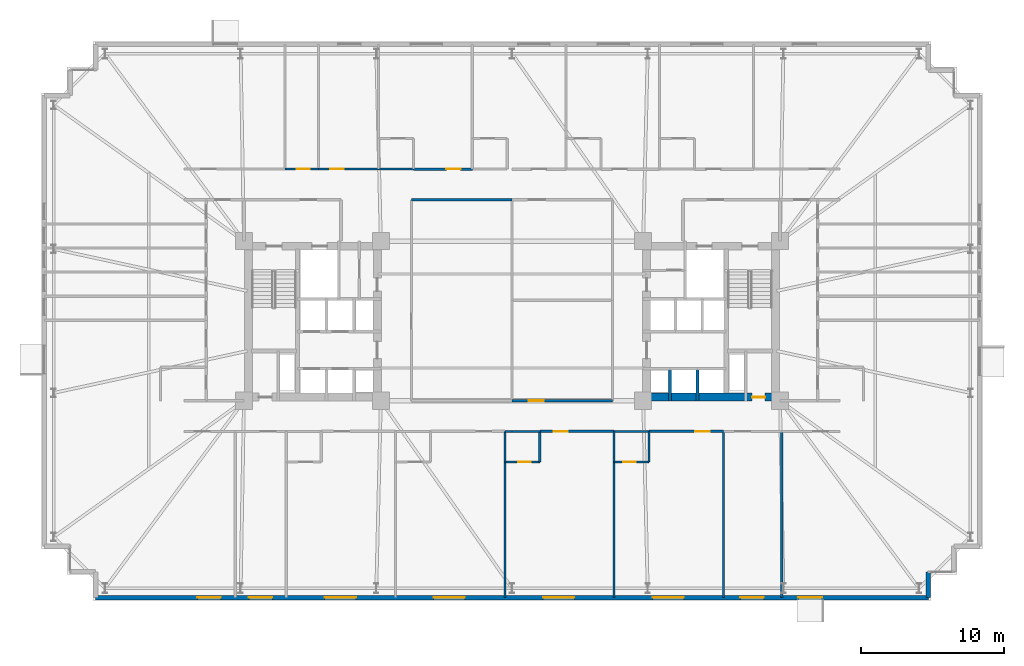
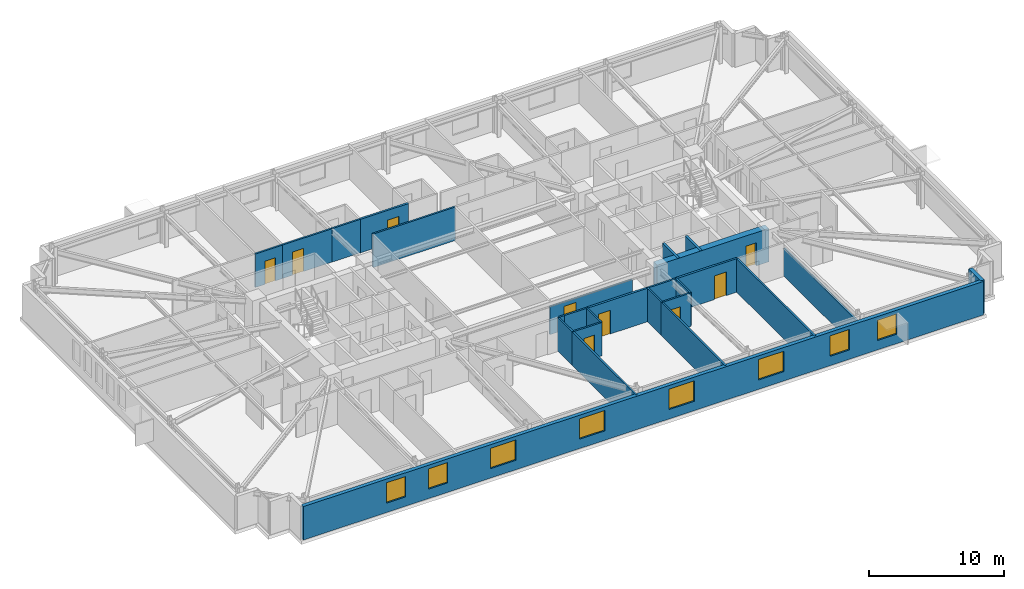
# One storey, part 16 of 21: 26 walls, 9 doors, 8 windows, 17 openings.
"""IFC4 building model written with IfcOpenShell, lengths in metres."""

from ifc_helpers import new_model, si_unit, direction, frame, frame_2d, origin, place, context, subcontext, project, spatial, rectangle, extrude, material, layer, layer_set, type_object, element, fill, save


model = new_model("IFC4")

# Units and contexts
model_context = context("Model", 3, precision=1e-05, world=origin(), true_north=direction((0.0, 1.0)))
body_context = subcontext(model_context, "Body", "Model", "MODEL_VIEW")
ifc_project = project(units=[si_unit("LENGTHUNIT", "METRE"), si_unit("AREAUNIT", "SQUARE_METRE"), si_unit("VOLUMEUNIT", "CUBIC_METRE"), si_unit("PLANEANGLEUNIT", "RADIAN"), si_unit("MASSUNIT", "GRAM", prefix="KILO")], contexts=[model_context])

# Site, building, storey
site_placement = place(None, origin())
site = spatial("IfcSite", under=ifc_project, at=site_placement, CompositionType="ELEMENT")
building_placement = place(site_placement, origin())
building = spatial("IfcBuilding", under=site, at=building_placement, Name="Qobustan Lattice House", CompositionType="ELEMENT")
storey_placement = place(building_placement, frame((0.0, 0.0, 30.35009765625)))
storey = spatial("IfcBuildingStorey", under=building, at=storey_placement, Name="L07", CompositionType="ELEMENT", Elevation=30.35009765625)

# Wall, opening, door
ifc_material_1 = material(Name="Concrete C60/75", Category="concrete")
ifc_layer_1 = layer(ifc_material_1, 0.56005859375)
ifc_layer_set_1 = layer_set([ifc_layer_1], Name="Concrete C60/75")
wall_type_1 = type_object("IfcWallType", Name="WAL-CORE-600", PredefinedType="SHEAR", material=ifc_layer_set_1)
wall_1_placement = place(storey_placement, frame((9.199951171875, -5.35009765625, 0.0), z_axis=(0.0, 0.0, 1.0), x_axis=(1.0, 0.0, 0.0)))
wall_1 = element("IfcWall", 1, at=wall_1_placement, inside=storey, type_object=wall_type_1, Name="L07 split-core shear wall CE-S", PredefinedType="SHEAR", context=body_context, shape_type="SweptSolid", body=[
    extrude(rectangle(XDim=9.60009765625, YDim=0.56005859375, at=frame_2d((4.800048828125, 0.0))), origin(), (0.0, 0.0, 1.0), 3.034912109375),
])
opening_1_placement = place(wall_1_placement, frame((7.64990234375, 0.0, 0.0)))
opening_1 = element("IfcOpeningElement", 2, at=opening_1_placement, cuts=wall_1, Name="Opening RD-01", PredefinedType="OPENING", context=body_context, shape_type="SweptSolid", body=[
    extrude(rectangle(XDim=0.89990234375, YDim=2.10009765625, at=frame_2d((0.449951171875, 1.050048828125))), frame((0.0, 0.2900390625, 0.0), z_axis=(0.0, -1.0, 0.0), x_axis=(1.0, 0.0, 0.0)), (0.0, 0.0, 1.0), 0.580078125),
])
ifc_material_2 = material(Name="Persian walnut timber and steel frame door", Category="steel")
door_type_1 = type_object("IfcDoorType", Name="DOR-RISER-FD-900x2100", OperationType="NOTDEFINED", PredefinedType="DOOR", material=ifc_material_2)
door_1_placement = place(opening_1_placement, origin())
door_1 = element("IfcDoor", 3, at=door_1_placement, inside=storey, type_object=door_type_1, Name="L07 core service riser access door E", OperationType="SINGLE_SWING_LEFT", OverallHeight=2.10009765625, OverallWidth=0.89990234375, PredefinedType="DOOR", context=body_context, shape_type="SweptSolid", body=[
    extrude(rectangle(XDim=0.89990234375, YDim=2.10009765625, at=frame_2d((0.449951171875, 1.050048828125))), frame((0.0, 0.02490234375, 0.0), z_axis=(0.0, -1.0, 0.0), x_axis=(1.0, 0.0, 0.0)), (0.0, 0.0, 1.0), 0.050048828125),
])
fill(opening_1, door_1)

# Wall
ifc_material_3 = material(Name="Precast concrete C40/50", Category="concrete")
ifc_layer_2 = layer(ifc_material_3, 0.320068359375)
ifc_layer_set_2 = layer_set([ifc_layer_2], Name="Precast concrete C40/50")
wall_type_2 = type_object("IfcWallType", Name="WAL-EXT-STONE-320", PredefinedType="SOLIDWALL", material=ifc_layer_set_2)
wall_2_placement = place(storey_placement, frame((29.199951171875, -17.60009765625, 0.0), z_axis=(0.0, 0.0, 1.0), x_axis=(0.0, -1.0, 0.0)))
element("IfcWall", 4, at=wall_2_placement, inside=storey, type_object=wall_type_2, Name="L07 exterior limestone-clad wall 19", PredefinedType="SOLIDWALL", context=body_context, shape_type="SweptSolid", body=[
    extrude(rectangle(XDim=1.7998046875, YDim=0.320068359375, at=frame_2d((0.89990234375, 0.0))), origin(), (0.0, 0.0, 1.0), 3.034912109375),
])

# Wall, openings, windows
wall_3_placement = place(storey_placement, frame((29.199951171875, -19.39990234375, 0.0), z_axis=(0.0, 0.0, 1.0), x_axis=(-1.0, 0.0, 0.0)))
wall_3 = element("IfcWall", 5, at=wall_3_placement, inside=storey, type_object=wall_type_2, Name="L07 exterior limestone-clad wall 20", PredefinedType="SOLIDWALL", context=body_context, shape_type="SweptSolid", body=[
    extrude(rectangle(XDim=58.39990234375, YDim=0.320068359375, at=frame_2d((29.199951171875, 0.0))), origin(), (0.0, 0.0, 1.0), 3.034912109375),
])
opening_2_placement = place(wall_3_placement, frame((7.455078125, 0.0, 0.85009765625)))
opening_2 = element("IfcOpeningElement", 6, at=opening_2_placement, cuts=wall_3, Name="Opening WN-09", PredefinedType="OPENING", context=body_context, shape_type="SweptSolid", body=[
    extrude(rectangle(XDim=1.64990234375, YDim=1.85009765625, at=frame_2d((0.824951171875, 0.925048828125))), frame((0.0, 0.169921875, 0.0), z_axis=(0.0, -1.0, 0.0), x_axis=(1.0, 0.0, 0.0)), (0.0, 0.0, 1.0), 0.340087890625),
])
opening_3_placement = place(wall_3_placement, frame((11.534912109375, 0.0, 0.85009765625)))
opening_3 = element("IfcOpeningElement", 7, at=opening_3_placement, cuts=wall_3, Name="Opening WN-09", PredefinedType="OPENING", context=body_context, shape_type="SweptSolid", body=[
    extrude(rectangle(XDim=1.64990234375, YDim=1.85009765625, at=frame_2d((0.824951171875, 0.925048828125))), frame((0.0, 0.169921875, 0.0), z_axis=(0.0, -1.0, 0.0), x_axis=(1.0, 0.0, 0.0)), (0.0, 0.0, 1.0), 0.340087890625),
])
opening_4_placement = place(wall_3_placement, frame((17.139892578125, 0.0, 0.85009765625)))
opening_4 = element("IfcOpeningElement", 8, at=opening_4_placement, cuts=wall_3, Name="Opening WN-03", PredefinedType="OPENING", context=body_context, shape_type="SweptSolid", body=[
    extrude(rectangle(XDim=2.199951171875, YDim=1.85009765625, at=frame_2d((1.10009765625, 0.925048828125))), frame((0.0, 0.169921875, 0.0), z_axis=(0.0, -1.0, 0.0), x_axis=(1.0, 0.0, 0.0)), (0.0, 0.0, 1.0), 0.340087890625),
])
opening_5_placement = place(wall_3_placement, frame((24.820068359375, 0.0, 0.85009765625)))
opening_5 = element("IfcOpeningElement", 9, at=opening_5_placement, cuts=wall_3, Name="Opening WN-03", PredefinedType="OPENING", context=body_context, shape_type="SweptSolid", body=[
    extrude(rectangle(XDim=2.199951171875, YDim=1.85009765625, at=frame_2d((1.10009765625, 0.925048828125))), frame((0.0, 0.169921875, 0.0), z_axis=(0.0, -1.0, 0.0), x_axis=(1.0, 0.0, 0.0)), (0.0, 0.0, 1.0), 0.340087890625),
])
opening_6_placement = place(wall_3_placement, frame((32.5, 0.0, 0.85009765625)))
opening_6 = element("IfcOpeningElement", 10, at=opening_6_placement, cuts=wall_3, Name="Opening WN-03", PredefinedType="OPENING", context=body_context, shape_type="SweptSolid", body=[
    extrude(rectangle(XDim=2.199951171875, YDim=1.85009765625, at=frame_2d((1.10009765625, 0.925048828125))), frame((0.0, 0.169921875, 0.0), z_axis=(0.0, -1.0, 0.0), x_axis=(1.0, 0.0, 0.0)), (0.0, 0.0, 1.0), 0.340087890625),
])
opening_7_placement = place(wall_3_placement, frame((40.139892578125, 0.0, 0.85009765625)))
opening_7 = element("IfcOpeningElement", 11, at=opening_7_placement, cuts=wall_3, Name="Opening WN-03", PredefinedType="OPENING", context=body_context, shape_type="SweptSolid", body=[
    extrude(rectangle(XDim=2.199951171875, YDim=1.85009765625, at=frame_2d((1.10009765625, 0.925048828125))), frame((0.0, 0.169921875, 0.0), z_axis=(0.0, -1.0, 0.0), x_axis=(1.0, 0.0, 0.0)), (0.0, 0.0, 1.0), 0.340087890625),
])
opening_8_placement = place(wall_3_placement, frame((46.014892578125, 0.0, 0.85009765625)))
opening_8 = element("IfcOpeningElement", 12, at=opening_8_placement, cuts=wall_3, Name="Opening WN-09", PredefinedType="OPENING", context=body_context, shape_type="SweptSolid", body=[
    extrude(rectangle(XDim=1.64990234375, YDim=1.85009765625, at=frame_2d((0.824951171875, 0.925048828125))), frame((0.0, 0.169921875, 0.0), z_axis=(0.0, -1.0, 0.0), x_axis=(1.0, 0.0, 0.0)), (0.0, 0.0, 1.0), 0.340087890625),
])
opening_9_placement = place(wall_3_placement, frame((49.614990234375, 0.0, 0.85009765625)))
opening_9 = element("IfcOpeningElement", 13, at=opening_9_placement, cuts=wall_3, Name="Opening WN-09", PredefinedType="OPENING", context=body_context, shape_type="SweptSolid", body=[
    extrude(rectangle(XDim=1.64990234375, YDim=1.85009765625, at=frame_2d((0.824951171875, 0.925048828125))), frame((0.0, 0.169921875, 0.0), z_axis=(0.0, -1.0, 0.0), x_axis=(1.0, 0.0, 0.0)), (0.0, 0.0, 1.0), 0.340087890625),
])
ifc_material_4 = material(Name="Double-glazed low-E aluminium window", Category="aluminium")
window_type_1 = type_object("IfcWindowType", Name="WIN-STU-1650x1850", PartitioningType="SINGLE_PANEL", PredefinedType="WINDOW", material=ifc_material_4)
window_1_placement = place(opening_2_placement, origin())
window_1 = element("IfcWindow", 14, at=window_1_placement, inside=storey, type_object=window_type_1, Name="L07 Academic seminar room window", OverallHeight=1.85009765625, OverallWidth=1.64990234375, PartitioningType="SINGLE_PANEL", PredefinedType="WINDOW", context=body_context, shape_type="SweptSolid", body=[
    extrude(rectangle(XDim=1.64990234375, YDim=1.85009765625, at=frame_2d((0.824951171875, 0.925048828125))), frame((0.0, 0.030029296875, 0.0), z_axis=(0.0, -1.0, 0.0), x_axis=(1.0, 0.0, 0.0)), (0.0, 0.0, 1.0), 0.06005859375),
])
fill(opening_2, window_1)
window_2_placement = place(opening_3_placement, origin())
window_2 = element("IfcWindow", 15, at=window_2_placement, inside=storey, type_object=window_type_1, Name="L07 Group study room window", OverallHeight=1.85009765625, OverallWidth=1.64990234375, PartitioningType="SINGLE_PANEL", PredefinedType="WINDOW", context=body_context, shape_type="SweptSolid", body=[
    extrude(rectangle(XDim=1.64990234375, YDim=1.85009765625, at=frame_2d((0.824951171875, 0.925048828125))), frame((0.0, 0.030029296875, 0.0), z_axis=(0.0, -1.0, 0.0), x_axis=(1.0, 0.0, 0.0)), (0.0, 0.0, 1.0), 0.06005859375),
])
fill(opening_3, window_2)
window_3_placement = place(opening_8_placement, origin())
window_3 = element("IfcWindow", 16, at=window_3_placement, inside=storey, type_object=window_type_1, Name="L07 Focus study room S1B window", OverallHeight=1.85009765625, OverallWidth=1.64990234375, PartitioningType="SINGLE_PANEL", PredefinedType="WINDOW", context=body_context, shape_type="SweptSolid", body=[
    extrude(rectangle(XDim=1.64990234375, YDim=1.85009765625, at=frame_2d((0.824951171875, 0.925048828125))), frame((0.0, 0.030029296875, 0.0), z_axis=(0.0, -1.0, 0.0), x_axis=(1.0, 0.0, 0.0)), (0.0, 0.0, 1.0), 0.06005859375),
])
fill(opening_8, window_3)
window_4_placement = place(opening_9_placement, origin())
window_4 = element("IfcWindow", 17, at=window_4_placement, inside=storey, type_object=window_type_1, Name="L07 Focus study room S1A window", OverallHeight=1.85009765625, OverallWidth=1.64990234375, PartitioningType="SINGLE_PANEL", PredefinedType="WINDOW", context=body_context, shape_type="SweptSolid", body=[
    extrude(rectangle(XDim=1.64990234375, YDim=1.85009765625, at=frame_2d((0.824951171875, 0.925048828125))), frame((0.0, 0.030029296875, 0.0), z_axis=(0.0, -1.0, 0.0), x_axis=(1.0, 0.0, 0.0)), (0.0, 0.0, 1.0), 0.06005859375),
])
fill(opening_9, window_4)
ifc_material_5 = material(Name="Double-glazed low-E aluminium window", Category="aluminium")
window_type_2 = type_object("IfcWindowType", Name="WIN-WIDE-2200x1850", PartitioningType="SINGLE_PANEL", PredefinedType="WINDOW", material=ifc_material_5)
window_5_placement = place(opening_4_placement, origin())
window_5 = element("IfcWindow", 18, at=window_5_placement, inside=storey, type_object=window_type_2, Name="L07 Kitchenette and studio apartment L07-S5 window", OverallHeight=1.85009765625, OverallWidth=2.199951171875, PartitioningType="SINGLE_PANEL", PredefinedType="WINDOW", context=body_context, shape_type="SweptSolid", body=[
    extrude(rectangle(XDim=2.199951171875, YDim=1.85009765625, at=frame_2d((1.10009765625, 0.925048828125))), frame((0.0, 0.030029296875, 0.0), z_axis=(0.0, -1.0, 0.0), x_axis=(1.0, 0.0, 0.0)), (0.0, 0.0, 1.0), 0.06005859375),
])
fill(opening_4, window_5)
window_6_placement = place(opening_5_placement, origin())
window_6 = element("IfcWindow", 19, at=window_6_placement, inside=storey, type_object=window_type_2, Name="L07 Kitchenette and studio apartment L07-S4 window", OverallHeight=1.85009765625, OverallWidth=2.199951171875, PartitioningType="SINGLE_PANEL", PredefinedType="WINDOW", context=body_context, shape_type="SweptSolid", body=[
    extrude(rectangle(XDim=2.199951171875, YDim=1.85009765625, at=frame_2d((1.10009765625, 0.925048828125))), frame((0.0, 0.030029296875, 0.0), z_axis=(0.0, -1.0, 0.0), x_axis=(1.0, 0.0, 0.0)), (0.0, 0.0, 1.0), 0.06005859375),
])
fill(opening_5, window_6)
window_7_placement = place(opening_6_placement, origin())
window_7 = element("IfcWindow", 20, at=window_7_placement, inside=storey, type_object=window_type_2, Name="L07 Kitchenette and studio apartment L07-S3 window", OverallHeight=1.85009765625, OverallWidth=2.199951171875, PartitioningType="SINGLE_PANEL", PredefinedType="WINDOW", context=body_context, shape_type="SweptSolid", body=[
    extrude(rectangle(XDim=2.199951171875, YDim=1.85009765625, at=frame_2d((1.10009765625, 0.925048828125))), frame((0.0, 0.030029296875, 0.0), z_axis=(0.0, -1.0, 0.0), x_axis=(1.0, 0.0, 0.0)), (0.0, 0.0, 1.0), 0.06005859375),
])
fill(opening_6, window_7)
window_8_placement = place(opening_7_placement, origin())
window_8 = element("IfcWindow", 21, at=window_8_placement, inside=storey, type_object=window_type_2, Name="L07 Kitchenette and studio apartment L07-S2 window", OverallHeight=1.85009765625, OverallWidth=2.199951171875, PartitioningType="SINGLE_PANEL", PredefinedType="WINDOW", context=body_context, shape_type="SweptSolid", body=[
    extrude(rectangle(XDim=2.199951171875, YDim=1.85009765625, at=frame_2d((1.10009765625, 0.925048828125))), frame((0.0, 0.030029296875, 0.0), z_axis=(0.0, -1.0, 0.0), x_axis=(1.0, 0.0, 0.0)), (0.0, 0.0, 1.0), 0.06005859375),
])
fill(opening_7, window_8)

# Wall, opening, door
ifc_material_6 = material(Name="Gypsum fireboard acoustic partition", Category="gypsum")
ifc_layer_3 = layer(ifc_material_6, 0.179931640625)
ifc_layer_set_3 = layer_set([ifc_layer_3], Name="Gypsum fireboard acoustic partition")
wall_type_3 = type_object("IfcWallType", Name="WAL-FIRE-180", PredefinedType="PARTITIONING", material=ifc_layer_set_3)
wall_4_placement = place(storey_placement, frame((-6.906982421875, 10.64990234375, 0.0), z_axis=(0.0, 0.0, 1.0), x_axis=(1.0, 0.0, 0.0)))
wall_4 = element("IfcWall", 22, at=wall_4_placement, inside=storey, type_object=wall_type_3, Name="L07 interior partition 43", PredefinedType="PARTITIONING", context=body_context, shape_type="SweptSolid", body=[
    extrude(rectangle(XDim=4.12109375, YDim=0.179931640625, at=frame_2d((2.060546875, 0.0))), origin(), (0.0, 0.0, 1.0), 3.034912109375),
])
opening_10_placement = place(wall_4_placement, frame((2.2958984375, 0.0, 0.0)))
opening_10 = element("IfcOpeningElement", 23, at=opening_10_placement, cuts=wall_4, Name="Opening FD-02", PredefinedType="OPENING", context=body_context, shape_type="SweptSolid", body=[
    extrude(rectangle(XDim=1.0, YDim=2.14990234375, at=frame_2d((0.5, 1.074951171875))), frame((0.0, 0.099853515625, 0.0), z_axis=(0.0, -1.0, 0.0), x_axis=(1.0, 0.0, 0.0)), (0.0, 0.0, 1.0), 0.199951171875),
])
ifc_material_7 = material(Name="Persian walnut timber and steel frame door", Category="steel")
door_type_2 = type_object("IfcDoorType", Name="DOR-UNIT-FD-1000x2150", OperationType="NOTDEFINED", PredefinedType="DOOR", material=ifc_material_7)
door_2_placement = place(opening_10_placement, origin())
door_2 = element("IfcDoor", 24, at=door_2_placement, inside=storey, type_object=door_type_2, Name="L07 North-west floor corridor to Kitchenette and studio apartment L07-N3 door", OperationType="SINGLE_SWING_RIGHT", OverallHeight=2.14990234375, OverallWidth=1.0, PredefinedType="DOOR", context=body_context, shape_type="SweptSolid", body=[
    extrude(rectangle(XDim=1.0, YDim=2.14990234375, at=frame_2d((0.5, 1.074951171875))), frame((0.0, 0.02490234375, 0.0), z_axis=(0.0, -1.0, 0.0), x_axis=(1.0, 0.0, 0.0)), (0.0, 0.0, 1.0), 0.050048828125),
])
fill(opening_10, door_2)

wall_5_placement = place(storey_placement, frame((7.1669921875, -7.75, 0.0), z_axis=(0.0, 0.0, 1.0), x_axis=(-1.0, 0.0, 0.0)))
wall_5 = element("IfcWall", 25, at=wall_5_placement, inside=storey, type_object=wall_type_3, Name="L07 interior partition 68", PredefinedType="PARTITIONING", context=body_context, shape_type="SweptSolid", body=[
    extrude(rectangle(XDim=5.217041015625, YDim=0.179931640625, at=frame_2d((2.6083984375, 0.0))), origin(), (0.0, 0.0, 1.0), 3.034912109375),
])
opening_11_placement = place(wall_5_placement, frame((3.2548828125, 0.0, 0.0)))
opening_11 = element("IfcOpeningElement", 26, at=opening_11_placement, cuts=wall_5, Name="Opening FD-02", PredefinedType="OPENING", context=body_context, shape_type="SweptSolid", body=[
    extrude(rectangle(XDim=1.0, YDim=2.14990234375, at=frame_2d((0.5, 1.074951171875))), frame((0.0, 0.099853515625, 0.0), z_axis=(0.0, -1.0, 0.0), x_axis=(1.0, 0.0, 0.0)), (0.0, 0.0, 1.0), 0.199951171875),
])
door_3_placement = place(opening_11_placement, origin())
door_3 = element("IfcDoor", 27, at=door_3_placement, inside=storey, type_object=door_type_2, Name="L07 South-east floor corridor to Kitchenette and studio apartment L07-S4 door", OperationType="SINGLE_SWING_LEFT", OverallHeight=2.14990234375, OverallWidth=1.0, PredefinedType="DOOR", context=body_context, shape_type="SweptSolid", body=[
    extrude(rectangle(XDim=1.0, YDim=2.14990234375, at=frame_2d((0.5, 1.074951171875))), frame((0.0, 0.02490234375, 0.0), z_axis=(0.0, -1.0, 0.0), x_axis=(1.0, 0.0, 0.0)), (0.0, 0.0, 1.0), 0.050048828125),
])
fill(opening_11, door_3)

wall_6_placement = place(storey_placement, frame((14.8330078125, -7.75, 0.0), z_axis=(0.0, 0.0, 1.0), x_axis=(-1.0, 0.0, 0.0)))
wall_6 = element("IfcWall", 28, at=wall_6_placement, inside=storey, type_object=wall_type_3, Name="L07 interior partition 70", PredefinedType="PARTITIONING", context=body_context, shape_type="SweptSolid", body=[
    extrude(rectangle(XDim=5.216064453125, YDim=0.179931640625, at=frame_2d((2.60791015625, 0.0))), origin(), (0.0, 0.0, 1.0), 3.034912109375),
])
opening_12_placement = place(wall_6_placement, frame((0.9619140625, 0.0, 0.0)))
opening_12 = element("IfcOpeningElement", 29, at=opening_12_placement, cuts=wall_6, Name="Opening FD-02", PredefinedType="OPENING", context=body_context, shape_type="SweptSolid", body=[
    extrude(rectangle(XDim=1.0, YDim=2.14990234375, at=frame_2d((0.5, 1.074951171875))), frame((0.0, 0.099853515625, 0.0), z_axis=(0.0, -1.0, 0.0), x_axis=(1.0, 0.0, 0.0)), (0.0, 0.0, 1.0), 0.199951171875),
])
door_4_placement = place(opening_12_placement, origin())
door_4 = element("IfcDoor", 30, at=door_4_placement, inside=storey, type_object=door_type_2, Name="L07 South-east floor corridor to Kitchenette and studio apartment L07-S5 door", OperationType="SINGLE_SWING_RIGHT", OverallHeight=2.14990234375, OverallWidth=1.0, PredefinedType="DOOR", context=body_context, shape_type="SweptSolid", body=[
    extrude(rectangle(XDim=1.0, YDim=2.14990234375, at=frame_2d((0.5, 1.074951171875))), frame((0.0, 0.02490234375, 0.0), z_axis=(0.0, -1.0, 0.0), x_axis=(1.0, 0.0, 0.0)), (0.0, 0.0, 1.0), 0.050048828125),
])
fill(opening_12, door_4)

ifc_material_8 = material(Name="Acoustic twin-stud gypsum partition", Category="gypsum")
ifc_layer_4 = layer(ifc_material_8, 0.14990234375)
ifc_layer_set_4 = layer_set([ifc_layer_4], Name="Acoustic twin-stud gypsum partition")
wall_type_4 = type_object("IfcWallType", Name="WAL-PART-150", PredefinedType="PARTITIONING", material=ifc_layer_set_4)
wall_7_placement = place(storey_placement, frame((-13.5791015625, 10.64990234375, 0.0), z_axis=(0.0, 0.0, 1.0), x_axis=(1.0, 0.0, 0.0)))
wall_7 = element("IfcWall", 31, at=wall_7_placement, inside=storey, type_object=wall_type_4, Name="L07 interior partition 42", PredefinedType="PARTITIONING", context=body_context, shape_type="SweptSolid", body=[
    extrude(rectangle(XDim=4.22216796875, YDim=0.14990234375, at=frame_2d((2.111083984375, 0.0))), origin(), (0.0, 0.0, 1.0), 3.034912109375),
])
opening_13_placement = place(wall_7_placement, frame((0.843994140625, 0.0, 0.0)))
opening_13 = element("IfcOpeningElement", 32, at=opening_13_placement, cuts=wall_7, Name="Opening ID-01", PredefinedType="OPENING", context=body_context, shape_type="SweptSolid", body=[
    extrude(rectangle(XDim=0.949951171875, YDim=2.10009765625, at=frame_2d((0.47509765625, 1.050048828125))), frame((0.0, 0.0849609375, 0.0), z_axis=(0.0, -1.0, 0.0), x_axis=(1.0, 0.0, 0.0)), (0.0, 0.0, 1.0), 0.169921875),
])
ifc_material_9 = material(Name="Persian walnut timber and steel frame door", Category="steel")
door_type_3 = type_object("IfcDoorType", Name="DOR-ROOM-950x2100", OperationType="NOTDEFINED", PredefinedType="DOOR", material=ifc_material_9)
door_5_placement = place(opening_13_placement, origin())
door_5 = element("IfcDoor", 33, at=door_5_placement, inside=storey, type_object=door_type_3, Name="L07 North-west floor corridor to Laundry utility room door", OperationType="SINGLE_SWING_LEFT", OverallHeight=2.10009765625, OverallWidth=0.949951171875, PredefinedType="DOOR", context=body_context, shape_type="SweptSolid", body=[
    extrude(rectangle(XDim=0.949951171875, YDim=2.10009765625, at=frame_2d((0.47509765625, 1.050048828125))), frame((0.0, 0.02490234375, 0.0), z_axis=(0.0, -1.0, 0.0), x_axis=(1.0, 0.0, 0.0)), (0.0, 0.0, 1.0), 0.050048828125),
])
fill(opening_13, door_5)

# Wall
wall_8_placement = place(storey_placement, frame((0.0, 8.5, 0.0), z_axis=(0.0, 0.0, 1.0), x_axis=(-1.0, 0.0, 0.0)))
element("IfcWall", 34, at=wall_8_placement, inside=storey, type_object=wall_type_4, Name="L07 interior partition 46", PredefinedType="PARTITIONING", context=body_context, shape_type="SweptSolid", body=[
    extrude(rectangle(XDim=7.050048828125, YDim=0.14990234375, at=frame_2d((3.52490234375, 0.0))), origin(), (0.0, 0.0, 1.0), 3.034912109375),
])

# Wall, opening, door
wall_9_placement = place(storey_placement, frame((0.0, -5.60009765625, 0.0), z_axis=(0.0, 0.0, 1.0), x_axis=(1.0, 0.0, 0.0)))
wall_9 = element("IfcWall", 35, at=wall_9_placement, inside=storey, type_object=wall_type_4, Name="L07 interior partition 74", PredefinedType="PARTITIONING", context=body_context, shape_type="SweptSolid", body=[
    extrude(rectangle(XDim=7.050048828125, YDim=0.14990234375, at=frame_2d((3.52490234375, 0.0))), origin(), (0.0, 0.0, 1.0), 2.52001953125),
])
opening_14_placement = place(wall_9_placement, frame((1.18505859375, 0.0, 0.0)))
opening_14 = element("IfcOpeningElement", 36, at=opening_14_placement, cuts=wall_9, Name="Opening ID-02", PredefinedType="OPENING", context=body_context, shape_type="SweptSolid", body=[
    extrude(rectangle(XDim=1.050048828125, YDim=2.14990234375, at=frame_2d((0.52490234375, 1.074951171875))), frame((0.0, 0.0849609375, 0.0), z_axis=(0.0, -1.0, 0.0), x_axis=(1.0, 0.0, 0.0)), (0.0, 0.0, 1.0), 0.169921875),
])
ifc_material_10 = material(Name="Persian walnut timber and steel frame door", Category="steel")
door_type_4 = type_object("IfcDoorType", Name="DOR-STUDY-1050x2150", OperationType="NOTDEFINED", PredefinedType="DOOR", material=ifc_material_10)
door_6_placement = place(opening_14_placement, origin())
door_6 = element("IfcDoor", 37, at=door_6_placement, inside=storey, type_object=door_type_4, Name="L07 South-east floor corridor to Seminar breakout room door", OperationType="SINGLE_SWING_LEFT", OverallHeight=2.14990234375, OverallWidth=1.050048828125, PredefinedType="DOOR", context=body_context, shape_type="SweptSolid", body=[
    extrude(rectangle(XDim=1.050048828125, YDim=2.14990234375, at=frame_2d((0.52490234375, 1.074951171875))), frame((0.0, 0.02490234375, 0.0), z_axis=(0.0, -1.0, 0.0), x_axis=(1.0, 0.0, 0.0)), (0.0, 0.0, 1.0), 0.050048828125),
])
fill(opening_14, door_6)

# Walls
for number, where, z_axis, x_axis, name in (
    (38, (-0.5, -9.89990234375, 0.0), (0.0, 0.0, 1.0), (0.0, -1.0, 0.0), "L07 interior partition 134"),
    (39, (7.1669921875, -9.89990234375, 0.0), (0.0, 0.0, 1.0), (0.0, -1.0, 0.0), "L07 interior partition 138"),
):
    element("IfcWall", number, at=place(storey_placement, frame(where, z_axis=z_axis, x_axis=x_axis)), inside=storey, type_object=wall_type_4, Name=name, PredefinedType="PARTITIONING", context=body_context, shape_type="SweptSolid", body=[
        extrude(rectangle(XDim=9.5, YDim=0.14990234375, at=frame_2d((4.75, 0.0))), origin(), (0.0, 0.0, 1.0), 3.034912109375),
    ])
wall_10_placement = place(storey_placement, frame((14.8330078125, -7.75, 0.0), z_axis=(0.0, 0.0, 1.0), x_axis=(0.0, -1.0, 0.0)))
element("IfcWall", 40, at=wall_10_placement, inside=storey, type_object=wall_type_4, Name="L07 interior partition 142", PredefinedType="PARTITIONING", context=body_context, shape_type="SweptSolid", body=[
    extrude(rectangle(XDim=11.64990234375, YDim=0.14990234375, at=frame_2d((5.824951171875, 0.0))), origin(), (0.0, 0.0, 1.0), 3.034912109375),
])
wall_11_placement = place(storey_placement, frame((18.91650390625, -7.75, 0.0), z_axis=(0.0, 0.0, 1.0), x_axis=(0.0, -1.0, 0.0)))
element("IfcWall", 41, at=wall_11_placement, inside=storey, type_object=wall_type_4, Name="L07 interior partition 143", PredefinedType="PARTITIONING", context=body_context, shape_type="SweptSolid", body=[
    extrude(rectangle(XDim=11.64990234375, YDim=0.14990234375, at=frame_2d((5.824951171875, 0.0))), origin(), (0.0, 0.0, 1.0), 2.52001953125),
])
ifc_material_11 = material(Name="Concrete C40/50", Category="concrete")
ifc_layer_5 = layer(ifc_material_11, 0.199951171875)
ifc_layer_set_5 = layer_set([ifc_layer_5], Name="Concrete C40/50")
wall_type_5 = type_object("IfcWallType", Name="WAL-SHAFT-200", PredefinedType="PARTITIONING", material=ifc_layer_set_5)
for number, where, z_axis, x_axis, name in (
    (42, (11.080078125, -5.60009765625, 0.0), (0.0, 0.0, 1.0), (0.0, 1.0, 0.0), "L07 interior partition 34"),
    (43, (13.02001953125, -5.60009765625, 0.0), (0.0, 0.0, 1.0), (0.0, 1.0, 0.0), "L07 interior partition 35"),
):
    element("IfcWall", number, at=place(storey_placement, frame(where, z_axis=z_axis, x_axis=x_axis)), inside=storey, type_object=wall_type_5, Name=name, PredefinedType="PARTITIONING", context=body_context, shape_type="SweptSolid", body=[
        extrude(rectangle(XDim=2.25, YDim=0.199951171875, at=frame_2d((1.125, 0.0))), origin(), (0.0, 0.0, 1.0), 3.034912109375),
    ])

# Wall, opening, door
ifc_material_12 = material(Name="Moisture-resistant acoustic plumbing wall", Category="gypsum")
ifc_layer_6 = layer(ifc_material_12, 0.14990234375)
ifc_layer_set_6 = layer_set([ifc_layer_6], Name="Moisture-resistant acoustic plumbing wall")
wall_type_6 = type_object("IfcWallType", Name="WAL-WET-150", PredefinedType="PLUMBINGWALL", material=ifc_layer_set_6)
wall_12_placement = place(storey_placement, frame((-15.928955078125, 10.64990234375, 0.0), z_axis=(0.0, 0.0, 1.0), x_axis=(1.0, 0.0, 0.0)))
wall_12 = element("IfcWall", 44, at=wall_12_placement, inside=storey, type_object=wall_type_6, Name="L07 interior partition 41", PredefinedType="PLUMBINGWALL", context=body_context, shape_type="SweptSolid", body=[
    extrude(rectangle(XDim=2.349853515625, YDim=0.14990234375, at=frame_2d((1.1748046875, 0.0))), origin(), (0.0, 0.0, 1.0), 3.034912109375),
])
opening_15_placement = place(wall_12_placement, frame((0.833740234375, 0.0, 0.0)))
opening_15 = element("IfcOpeningElement", 45, at=opening_15_placement, cuts=wall_12, Name="Opening WD-01", PredefinedType="OPENING", context=body_context, shape_type="SweptSolid", body=[
    extrude(rectangle(XDim=0.89990234375, YDim=2.10009765625, at=frame_2d((0.449951171875, 1.050048828125))), frame((0.0, 0.0849609375, 0.0), z_axis=(0.0, -1.0, 0.0), x_axis=(1.0, 0.0, 0.0)), (0.0, 0.0, 1.0), 0.169921875),
])
ifc_material_13 = material(Name="Persian walnut timber and steel frame door", Category="steel")
door_type_5 = type_object("IfcDoorType", Name="DOR-WET-900x2100", OperationType="NOTDEFINED", PredefinedType="DOOR", material=ifc_material_13)
door_7_placement = place(opening_15_placement, origin())
door_7 = element("IfcDoor", 46, at=door_7_placement, inside=storey, type_object=door_type_5, Name="L07 North-west floor corridor to Accessible WC door", OperationType="SINGLE_SWING_RIGHT", OverallHeight=2.10009765625, OverallWidth=0.89990234375, PredefinedType="DOOR", context=body_context, shape_type="SweptSolid", body=[
    extrude(rectangle(XDim=0.89990234375, YDim=2.10009765625, at=frame_2d((0.449951171875, 1.050048828125))), frame((0.0, 0.02490234375, 0.0), z_axis=(0.0, -1.0, 0.0), x_axis=(1.0, 0.0, 0.0)), (0.0, 0.0, 1.0), 0.050048828125),
])
fill(opening_15, door_7)

# Walls
wall_13_placement = place(storey_placement, frame((-9.35693359375, 10.64990234375, 0.0), z_axis=(0.0, 0.0, 1.0), x_axis=(1.0, 0.0, 0.0)))
element("IfcWall", 47, at=wall_13_placement, inside=storey, type_object=wall_type_6, Name="L07 interior partition 44", PredefinedType="PLUMBINGWALL", context=body_context, shape_type="SweptSolid", body=[
    extrude(rectangle(XDim=2.449951171875, YDim=0.14990234375, at=frame_2d((1.22509765625, 0.0))), origin(), (0.0, 0.0, 1.0), 3.034912109375),
])
wall_14_placement = place(storey_placement, frame((0.0, -7.75, 0.0), z_axis=(0.0, 0.0, 1.0), x_axis=(-1.0, 0.0, 0.0)))
element("IfcWall", 48, at=wall_14_placement, inside=storey, type_object=wall_type_6, Name="L07 interior partition 64", PredefinedType="PLUMBINGWALL", context=body_context, shape_type="SweptSolid", body=[
    extrude(rectangle(XDim=0.5, YDim=0.14990234375, at=frame_2d((0.25, 0.0))), origin(), (0.0, 0.0, 1.0), 3.034912109375),
])
wall_15_placement = place(storey_placement, frame((1.949951171875, -7.75, 0.0), z_axis=(0.0, 0.0, 1.0), x_axis=(-1.0, 0.0, 0.0)))
element("IfcWall", 49, at=wall_15_placement, inside=storey, type_object=wall_type_6, Name="L07 interior partition 69", PredefinedType="PLUMBINGWALL", context=body_context, shape_type="SweptSolid", body=[
    extrude(rectangle(XDim=1.949951171875, YDim=0.14990234375, at=frame_2d((0.97509765625, 0.0))), origin(), (0.0, 0.0, 1.0), 3.034912109375),
])
wall_16_placement = place(storey_placement, frame((9.616943359375, -7.75, 0.0), z_axis=(0.0, 0.0, 1.0), x_axis=(-1.0, 0.0, 0.0)))
element("IfcWall", 50, at=wall_16_placement, inside=storey, type_object=wall_type_6, Name="L07 interior partition 71", PredefinedType="PLUMBINGWALL", context=body_context, shape_type="SweptSolid", body=[
    extrude(rectangle(XDim=2.449951171875, YDim=0.14990234375, at=frame_2d((1.22509765625, 0.0))), origin(), (0.0, 0.0, 1.0), 3.034912109375),
])
wall_17_placement = place(storey_placement, frame((-0.5, -7.75, 0.0), z_axis=(0.0, 0.0, 1.0), x_axis=(0.0, -1.0, 0.0)))
element("IfcWall", 51, at=wall_17_placement, inside=storey, type_object=wall_type_6, Name="L07 interior partition 135", PredefinedType="PLUMBINGWALL", context=body_context, shape_type="SweptSolid", body=[
    extrude(rectangle(XDim=2.14990234375, YDim=0.14990234375, at=frame_2d((1.074951171875, 0.0))), origin(), (0.0, 0.0, 1.0), 3.034912109375),
])

# Wall, opening, door
wall_18_placement = place(storey_placement, frame((-0.5, -9.89990234375, 0.0), z_axis=(0.0, 0.0, 1.0), x_axis=(1.0, 0.0, 0.0)))
wall_18 = element("IfcWall", 52, at=wall_18_placement, inside=storey, type_object=wall_type_6, Name="L07 interior partition 136", PredefinedType="PLUMBINGWALL", context=body_context, shape_type="SweptSolid", body=[
    extrude(rectangle(XDim=2.449951171875, YDim=0.14990234375, at=frame_2d((1.22509765625, 0.0))), origin(), (0.0, 0.0, 1.0), 3.034912109375),
])
opening_16_placement = place(wall_18_placement, frame((0.92138671875, 0.0, 0.0)))
opening_16 = element("IfcOpeningElement", 53, at=opening_16_placement, cuts=wall_18, Name="Opening WD-01", PredefinedType="OPENING", context=body_context, shape_type="SweptSolid", body=[
    extrude(rectangle(XDim=0.89990234375, YDim=2.10009765625, at=frame_2d((0.449951171875, 1.050048828125))), frame((0.0, 0.0849609375, 0.0), z_axis=(0.0, -1.0, 0.0), x_axis=(1.0, 0.0, 0.0)), (0.0, 0.0, 1.0), 0.169921875),
])
door_8_placement = place(opening_16_placement, origin())
door_8 = element("IfcDoor", 54, at=door_8_placement, inside=storey, type_object=door_type_5, Name="L07 Kitchenette and studio apartment L07-S4 to En-suite bathroom L07-S4 door", OperationType="SINGLE_SWING_LEFT", OverallHeight=2.10009765625, OverallWidth=0.89990234375, PredefinedType="DOOR", context=body_context, shape_type="SweptSolid", body=[
    extrude(rectangle(XDim=0.89990234375, YDim=2.10009765625, at=frame_2d((0.449951171875, 1.050048828125))), frame((0.0, 0.02490234375, 0.0), z_axis=(0.0, -1.0, 0.0), x_axis=(1.0, 0.0, 0.0)), (0.0, 0.0, 1.0), 0.050048828125),
])
fill(opening_16, door_8)

# Walls
for number, where, z_axis, x_axis, name in (
    (55, (1.949951171875, -9.89990234375, 0.0), (0.0, 0.0, 1.0), (0.0, 1.0, 0.0), "L07 interior partition 137"),
    (56, (7.1669921875, -7.75, 0.0), (0.0, 0.0, 1.0), (0.0, -1.0, 0.0), "L07 interior partition 139"),
):
    element("IfcWall", number, at=place(storey_placement, frame(where, z_axis=z_axis, x_axis=x_axis)), inside=storey, type_object=wall_type_6, Name=name, PredefinedType="PLUMBINGWALL", context=body_context, shape_type="SweptSolid", body=[
        extrude(rectangle(XDim=2.14990234375, YDim=0.14990234375, at=frame_2d((1.074951171875, 0.0))), origin(), (0.0, 0.0, 1.0), 3.034912109375),
    ])

# Wall, opening, door
wall_19_placement = place(storey_placement, frame((7.1669921875, -9.89990234375, 0.0), z_axis=(0.0, 0.0, 1.0), x_axis=(1.0, 0.0, 0.0)))
wall_19 = element("IfcWall", 57, at=wall_19_placement, inside=storey, type_object=wall_type_6, Name="L07 interior partition 140", PredefinedType="PLUMBINGWALL", context=body_context, shape_type="SweptSolid", body=[
    extrude(rectangle(XDim=2.449951171875, YDim=0.14990234375, at=frame_2d((1.22509765625, 0.0))), origin(), (0.0, 0.0, 1.0), 3.034912109375),
])
opening_17_placement = place(wall_19_placement, frame((0.62890625, 0.0, 0.0)))
opening_17 = element("IfcOpeningElement", 58, at=opening_17_placement, cuts=wall_19, Name="Opening WD-01", PredefinedType="OPENING", context=body_context, shape_type="SweptSolid", body=[
    extrude(rectangle(XDim=0.89990234375, YDim=2.10009765625, at=frame_2d((0.449951171875, 1.050048828125))), frame((0.0, 0.0849609375, 0.0), z_axis=(0.0, -1.0, 0.0), x_axis=(1.0, 0.0, 0.0)), (0.0, 0.0, 1.0), 0.169921875),
])
door_9_placement = place(opening_17_placement, origin())
door_9 = element("IfcDoor", 59, at=door_9_placement, inside=storey, type_object=door_type_5, Name="L07 Kitchenette and studio apartment L07-S5 to En-suite bathroom L07-S5 door", OperationType="SINGLE_SWING_RIGHT", OverallHeight=2.10009765625, OverallWidth=0.89990234375, PredefinedType="DOOR", context=body_context, shape_type="SweptSolid", body=[
    extrude(rectangle(XDim=0.89990234375, YDim=2.10009765625, at=frame_2d((0.449951171875, 1.050048828125))), frame((0.0, 0.02490234375, 0.0), z_axis=(0.0, -1.0, 0.0), x_axis=(1.0, 0.0, 0.0)), (0.0, 0.0, 1.0), 0.050048828125),
])
fill(opening_17, door_9)

# Wall
wall_20_placement = place(storey_placement, frame((9.616943359375, -9.89990234375, 0.0), z_axis=(0.0, 0.0, 1.0), x_axis=(0.0, 1.0, 0.0)))
element("IfcWall", 60, at=wall_20_placement, inside=storey, type_object=wall_type_6, Name="L07 interior partition 141", PredefinedType="PLUMBINGWALL", context=body_context, shape_type="SweptSolid", body=[
    extrude(rectangle(XDim=2.14990234375, YDim=0.14990234375, at=frame_2d((1.074951171875, 0.0))), origin(), (0.0, 0.0, 1.0), 3.034912109375),
])

save(model, "model.ifc")
